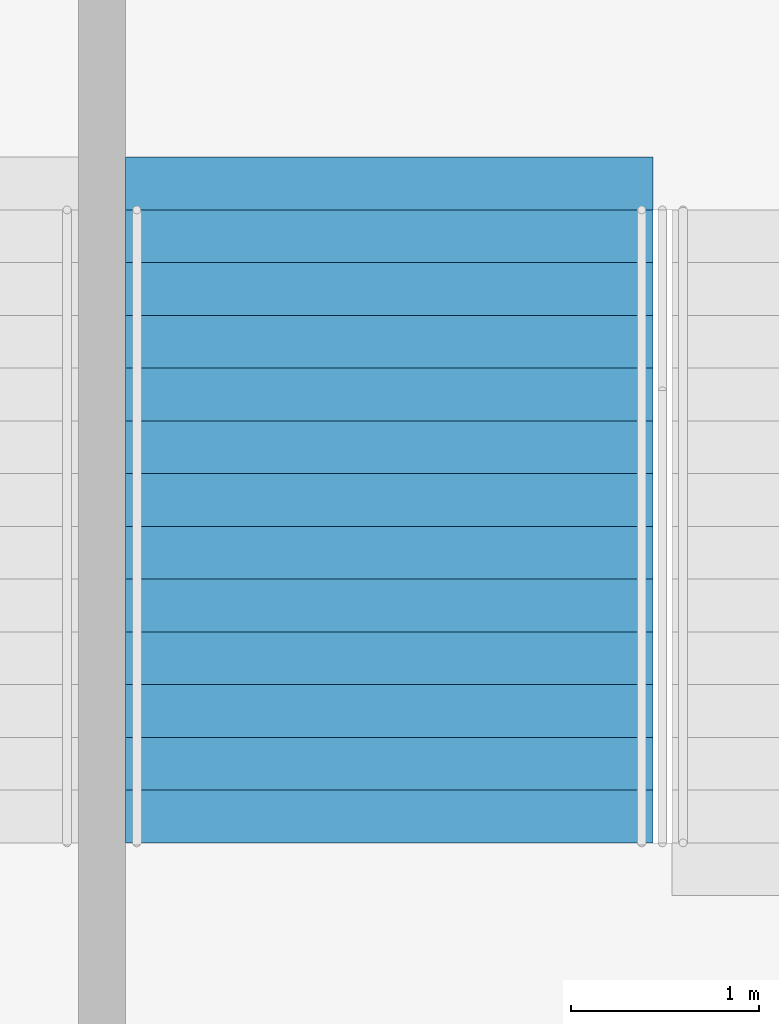
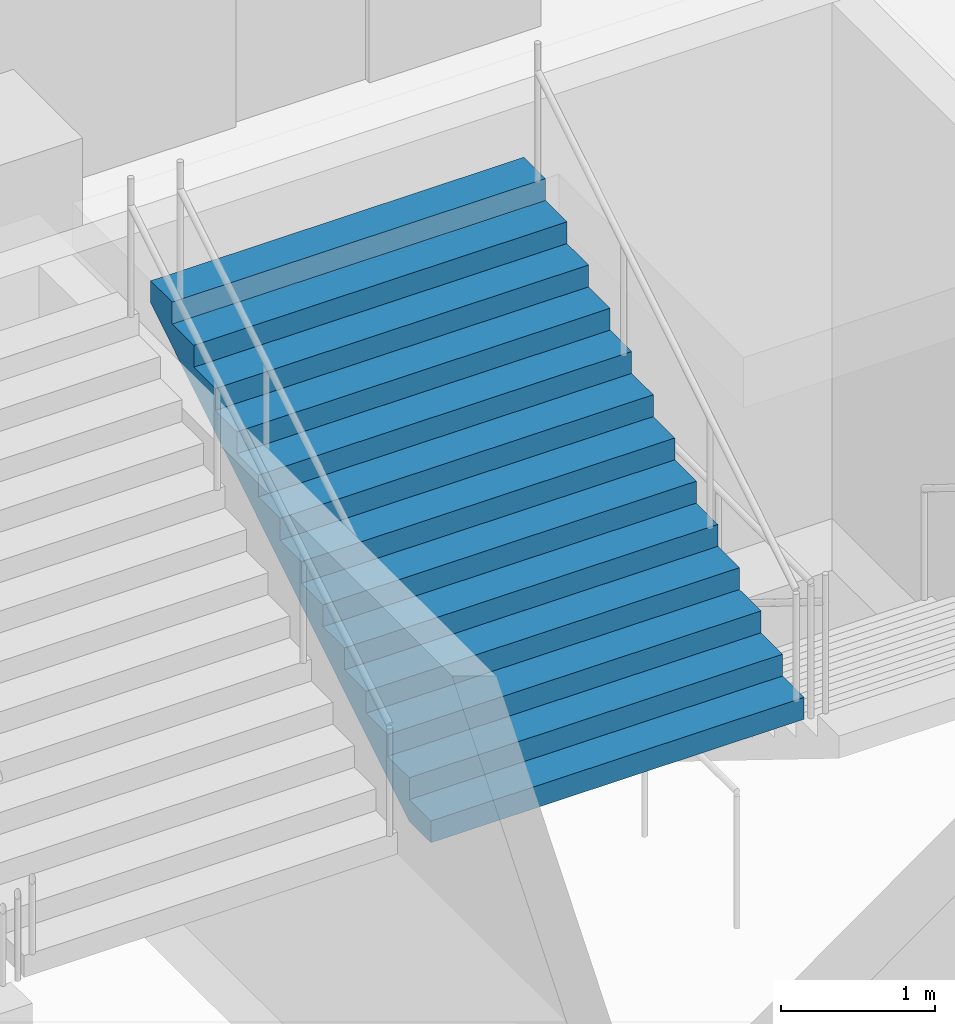
# One storey, part 115 of 199: 1 stair flight, 1 element without a shape of its own.
"""IFC4 building model written with IfcOpenShell, lengths in metres."""

from ifc_helpers import new_model, si_unit, direction, frame, origin, place, context, subcontext, project, spatial, faceted_brep, material, type_object, element, aggregate, save


model = new_model("IFC4")

# Units and contexts
model_context = context("Model", 3, precision=1e-05, world=origin(), true_north=direction((0.0, 1.0)))
body_context = subcontext(model_context, "Body", "Model", "MODEL_VIEW")
ifc_project = project(units=[si_unit("LENGTHUNIT", "METRE"), si_unit("AREAUNIT", "SQUARE_METRE"), si_unit("VOLUMEUNIT", "CUBIC_METRE"), si_unit("PLANEANGLEUNIT", "RADIAN"), si_unit("MASSUNIT", "GRAM", prefix="KILO")], contexts=[model_context])

# Site, building, storey
site_placement = place(None, origin())
site = spatial("IfcSite", under=ifc_project, at=site_placement, CompositionType="ELEMENT")
building_placement = place(site_placement, origin())
building = spatial("IfcBuilding", under=site, at=building_placement, Name="Ogive Plaza Stadium", CompositionType="ELEMENT")
storey_placement = place(building_placement, frame((0.0, 0.0, 9.0)))
storey = spatial("IfcBuildingStorey", under=building, at=storey_placement, Name="L02", CompositionType="ELEMENT", Elevation=9.0)

# Stair, stair flight
ifc_material_1 = material(Name="Concrete C40/50", Category="concrete")
stair_type = type_object("IfcStairType", Name="Exit stair", PredefinedType="STRAIGHT_RUN_STAIR", material=ifc_material_1)
stair_placement = place(storey_placement, origin())
stair = element("IfcStair", 1, at=stair_placement, inside=storey, type_object=stair_type, Name="Exit stair ST16B L02 to L03", PredefinedType="STRAIGHT_RUN_STAIR")
ifc_material_2 = material(Name="Concrete C40/50", Category="concrete")
stair_flight_type = type_object("IfcStairFlightType", Name="Exit stair flight", PredefinedType="STRAIGHT", material=ifc_material_2)
stair_flight_placement = place(storey_placement, frame((-18.875, -98.2099609375, 2.25), z_axis=(0.0, 0.0, 1.0), x_axis=(0.0, 1.0, 0.0)))
stair_flight = element("IfcStairFlight", 2, at=stair_flight_placement, type_object=stair_flight_type, Name="ST16B flight 2", NumberOfRisers=13, NumberOfTreads=12, PredefinedType="STRAIGHT", RiserHeight=0.173076923, TreadLength=0.28, context=body_context, shape_type="Brep", body=[
    faceted_brep([(0.28515625, -1.39990234375, 0.0), (3.639892578125, -1.39990234375, 2.07373046875), (3.639892578125, -1.39990234375, 2.25), (3.360107421875, -1.39990234375, 2.25), (3.360107421875, -1.39990234375, 2.076904296875), (3.080078125, -1.39990234375, 2.076904296875), (3.080078125, -1.39990234375, 1.90380859375), (2.800048828125, -1.39990234375, 1.90380859375), (2.800048828125, -1.39990234375, 1.730712890625), (2.52001953125, -1.39990234375, 1.730712890625), (2.52001953125, -1.39990234375, 1.5576171875), (2.239990234375, -1.39990234375, 1.5576171875), (2.239990234375, -1.39990234375, 1.384521484375), (1.9599609375, -1.39990234375, 1.384521484375), (1.9599609375, -1.39990234375, 1.21142578125), (1.679931640625, -1.39990234375, 1.21142578125), (1.679931640625, -1.39990234375, 1.03857421875), (1.39990234375, -1.39990234375, 1.03857421875), (1.39990234375, -1.39990234375, 0.865478515625), (1.1201171875, -1.39990234375, 0.865478515625), (1.1201171875, -1.39990234375, 0.6923828125), (0.840087890625, -1.39990234375, 0.6923828125), (0.840087890625, -1.39990234375, 0.519287109375), (0.56005859375, -1.39990234375, 0.519287109375), (0.56005859375, -1.39990234375, 0.34619140625), (0.280029296875, -1.39990234375, 0.34619140625), (0.280029296875, -1.39990234375, 0.173095703125), (0.0, -1.39990234375, 0.173095703125), (0.0, -1.39990234375, 0.0), (0.0, 1.39990234375, 0.0), (0.0, 1.39990234375, 0.173095703125), (0.280029296875, 1.39990234375, 0.173095703125), (0.280029296875, 1.39990234375, 0.34619140625), (0.56005859375, 1.39990234375, 0.34619140625), (0.56005859375, 1.39990234375, 0.519287109375), (0.840087890625, 1.39990234375, 0.519287109375), (0.840087890625, 1.39990234375, 0.6923828125), (1.1201171875, 1.39990234375, 0.6923828125), (1.1201171875, 1.39990234375, 0.865478515625), (1.39990234375, 1.39990234375, 0.865478515625), (1.39990234375, 1.39990234375, 1.03857421875), (1.679931640625, 1.39990234375, 1.03857421875), (1.679931640625, 1.39990234375, 1.21142578125), (1.9599609375, 1.39990234375, 1.21142578125), (1.9599609375, 1.39990234375, 1.384521484375), (2.239990234375, 1.39990234375, 1.384521484375), (2.239990234375, 1.39990234375, 1.5576171875), (2.52001953125, 1.39990234375, 1.5576171875), (2.52001953125, 1.39990234375, 1.730712890625), (2.800048828125, 1.39990234375, 1.730712890625), (2.800048828125, 1.39990234375, 1.90380859375), (3.080078125, 1.39990234375, 1.90380859375), (3.080078125, 1.39990234375, 2.076904296875), (3.360107421875, 1.39990234375, 2.076904296875), (3.360107421875, 1.39990234375, 2.25), (3.639892578125, 1.39990234375, 2.25), (3.639892578125, 1.39990234375, 2.07373046875), (0.28515625, 1.39990234375, 0.0), (0.28515625, -1.0888671875, 0.0), (3.639892578125, -1.0888671875, 2.07373046875), (0.28515625, -0.77783203125, 0.0), (3.639892578125, -0.77783203125, 2.07373046875), (0.28515625, -0.466796875, 0.0), (3.639892578125, -0.466796875, 2.07373046875), (0.28515625, -0.155517578125, 0.0), (3.639892578125, -0.155517578125, 2.07373046875), (0.28515625, 0.155517578125, 0.0), (3.639892578125, 0.155517578125, 2.07373046875), (0.28515625, 0.466796875, 0.0), (3.639892578125, 0.466796875, 2.07373046875), (0.28515625, 0.77783203125, 0.0), (3.639892578125, 0.77783203125, 2.07373046875), (0.28515625, 1.0888671875, 0.0), (3.639892578125, 1.0888671875, 2.07373046875), (3.639892578125, -1.0888671875, 2.25), (3.639892578125, -0.77783203125, 2.25), (3.639892578125, -0.466796875, 2.25), (3.639892578125, -0.155517578125, 2.25), (3.639892578125, 0.155517578125, 2.25), (3.639892578125, 0.466796875, 2.25), (3.639892578125, 0.77783203125, 2.25), (3.639892578125, 1.0888671875, 2.25), (3.360107421875, -1.0888671875, 2.25), (3.360107421875, -0.77783203125, 2.25), (3.360107421875, -0.466796875, 2.25), (3.360107421875, -0.155517578125, 2.25), (3.360107421875, 0.155517578125, 2.25), (3.360107421875, 0.466796875, 2.25), (3.360107421875, 0.77783203125, 2.25), (3.360107421875, 1.0888671875, 2.25), (3.360107421875, -1.0888671875, 2.076904296875), (3.360107421875, -0.77783203125, 2.076904296875), (3.360107421875, -0.466796875, 2.076904296875), (3.360107421875, -0.155517578125, 2.076904296875), (3.360107421875, 0.155517578125, 2.076904296875), (3.360107421875, 0.466796875, 2.076904296875), (3.360107421875, 0.77783203125, 2.076904296875), (3.360107421875, 1.0888671875, 2.076904296875), (3.080078125, -1.0888671875, 2.076904296875), (3.080078125, -0.77783203125, 2.076904296875), (3.080078125, -0.466796875, 2.076904296875), (3.080078125, -0.155517578125, 2.076904296875), (3.080078125, 0.155517578125, 2.076904296875), (3.080078125, 0.466796875, 2.076904296875), (3.080078125, 0.77783203125, 2.076904296875), (3.080078125, 1.0888671875, 2.076904296875), (3.080078125, -1.0888671875, 1.90380859375), (3.080078125, -0.77783203125, 1.90380859375), (3.080078125, -0.466796875, 1.90380859375), (3.080078125, -0.155517578125, 1.90380859375), (3.080078125, 0.155517578125, 1.90380859375), (3.080078125, 0.466796875, 1.90380859375), (3.080078125, 0.77783203125, 1.90380859375), (3.080078125, 1.0888671875, 1.90380859375), (2.800048828125, -1.0888671875, 1.90380859375), (2.800048828125, -0.77783203125, 1.90380859375), (2.800048828125, -0.466796875, 1.90380859375), (2.800048828125, -0.155517578125, 1.90380859375), (2.800048828125, 0.155517578125, 1.90380859375), (2.800048828125, 0.466796875, 1.90380859375), (2.800048828125, 0.77783203125, 1.90380859375), (2.800048828125, 1.0888671875, 1.90380859375), (2.800048828125, -1.0888671875, 1.730712890625), (2.800048828125, -0.77783203125, 1.730712890625), (2.800048828125, -0.466796875, 1.730712890625), (2.800048828125, -0.155517578125, 1.730712890625), (2.800048828125, 0.155517578125, 1.730712890625), (2.800048828125, 0.466796875, 1.730712890625), (2.800048828125, 0.77783203125, 1.730712890625), (2.800048828125, 1.0888671875, 1.730712890625), (2.52001953125, -1.0888671875, 1.730712890625), (2.52001953125, -0.77783203125, 1.730712890625), (2.52001953125, -0.466796875, 1.730712890625), (2.52001953125, -0.155517578125, 1.730712890625), (2.52001953125, 0.155517578125, 1.730712890625), (2.52001953125, 0.466796875, 1.730712890625), (2.52001953125, 0.77783203125, 1.730712890625), (2.52001953125, 1.0888671875, 1.730712890625), (2.52001953125, -1.0888671875, 1.5576171875), (2.52001953125, -0.77783203125, 1.5576171875), (2.52001953125, -0.466796875, 1.5576171875), (2.52001953125, -0.155517578125, 1.5576171875), (2.52001953125, 0.155517578125, 1.5576171875), (2.52001953125, 0.466796875, 1.5576171875), (2.52001953125, 0.77783203125, 1.5576171875), (2.52001953125, 1.0888671875, 1.5576171875), (2.239990234375, -1.0888671875, 1.5576171875), (2.239990234375, -0.77783203125, 1.5576171875), (2.239990234375, -0.466796875, 1.5576171875), (2.239990234375, -0.155517578125, 1.5576171875), (2.239990234375, 0.155517578125, 1.5576171875), (2.239990234375, 0.466796875, 1.5576171875), (2.239990234375, 0.77783203125, 1.5576171875), (2.239990234375, 1.0888671875, 1.5576171875), (2.239990234375, -1.0888671875, 1.384521484375), (2.239990234375, -0.77783203125, 1.384521484375), (2.239990234375, -0.466796875, 1.384521484375), (2.239990234375, -0.155517578125, 1.384521484375), (2.239990234375, 0.155517578125, 1.384521484375), (2.239990234375, 0.466796875, 1.384521484375), (2.239990234375, 0.77783203125, 1.384521484375), (2.239990234375, 1.0888671875, 1.384521484375), (1.9599609375, -1.0888671875, 1.384521484375), (1.9599609375, -0.77783203125, 1.384521484375), (1.9599609375, -0.466796875, 1.384521484375), (1.9599609375, -0.155517578125, 1.384521484375), (1.9599609375, 0.155517578125, 1.384521484375), (1.9599609375, 0.466796875, 1.384521484375), (1.9599609375, 0.77783203125, 1.384521484375), (1.9599609375, 1.0888671875, 1.384521484375), (1.9599609375, -1.0888671875, 1.21142578125), (1.9599609375, -0.77783203125, 1.21142578125), (1.9599609375, -0.466796875, 1.21142578125), (1.9599609375, -0.155517578125, 1.21142578125), (1.9599609375, 0.155517578125, 1.21142578125), (1.9599609375, 0.466796875, 1.21142578125), (1.9599609375, 0.77783203125, 1.21142578125), (1.9599609375, 1.0888671875, 1.21142578125), (1.679931640625, -1.0888671875, 1.21142578125), (1.679931640625, -0.77783203125, 1.21142578125), (1.679931640625, -0.466796875, 1.21142578125), (1.679931640625, -0.155517578125, 1.21142578125), (1.679931640625, 0.155517578125, 1.21142578125), (1.679931640625, 0.466796875, 1.21142578125), (1.679931640625, 0.77783203125, 1.21142578125), (1.679931640625, 1.0888671875, 1.21142578125), (1.679931640625, -1.0888671875, 1.03857421875), (1.679931640625, -0.77783203125, 1.03857421875), (1.679931640625, -0.466796875, 1.03857421875), (1.679931640625, -0.155517578125, 1.03857421875), (1.679931640625, 0.155517578125, 1.03857421875), (1.679931640625, 0.466796875, 1.03857421875), (1.679931640625, 0.77783203125, 1.03857421875), (1.679931640625, 1.0888671875, 1.03857421875), (1.39990234375, -1.0888671875, 1.03857421875), (1.39990234375, -0.77783203125, 1.03857421875), (1.39990234375, -0.466796875, 1.03857421875), (1.39990234375, -0.155517578125, 1.03857421875), (1.39990234375, 0.155517578125, 1.03857421875), (1.39990234375, 0.466796875, 1.03857421875), (1.39990234375, 0.77783203125, 1.03857421875), (1.39990234375, 1.0888671875, 1.03857421875), (1.39990234375, -1.0888671875, 0.865478515625), (1.39990234375, -0.77783203125, 0.865478515625), (1.39990234375, -0.466796875, 0.865478515625), (1.39990234375, -0.155517578125, 0.865478515625), (1.39990234375, 0.155517578125, 0.865478515625), (1.39990234375, 0.466796875, 0.865478515625), (1.39990234375, 0.77783203125, 0.865478515625), (1.39990234375, 1.0888671875, 0.865478515625), (1.1201171875, -1.0888671875, 0.865478515625), (1.1201171875, -0.77783203125, 0.865478515625), (1.1201171875, -0.466796875, 0.865478515625), (1.1201171875, -0.155517578125, 0.865478515625), (1.1201171875, 0.155517578125, 0.865478515625), (1.1201171875, 0.466796875, 0.865478515625), (1.1201171875, 0.77783203125, 0.865478515625), (1.1201171875, 1.0888671875, 0.865478515625), (1.1201171875, -1.0888671875, 0.6923828125), (1.1201171875, -0.77783203125, 0.6923828125), (1.1201171875, -0.466796875, 0.6923828125), (1.1201171875, -0.155517578125, 0.6923828125), (1.1201171875, 0.155517578125, 0.6923828125), (1.1201171875, 0.466796875, 0.6923828125), (1.1201171875, 0.77783203125, 0.6923828125), (1.1201171875, 1.0888671875, 0.6923828125), (0.840087890625, -1.0888671875, 0.6923828125), (0.840087890625, -0.77783203125, 0.6923828125), (0.840087890625, -0.466796875, 0.6923828125), (0.840087890625, -0.155517578125, 0.6923828125), (0.840087890625, 0.155517578125, 0.6923828125), (0.840087890625, 0.466796875, 0.6923828125), (0.840087890625, 0.77783203125, 0.6923828125), (0.840087890625, 1.0888671875, 0.6923828125), (0.840087890625, -1.0888671875, 0.519287109375), (0.840087890625, -0.77783203125, 0.519287109375), (0.840087890625, -0.466796875, 0.519287109375), (0.840087890625, -0.155517578125, 0.519287109375), (0.840087890625, 0.155517578125, 0.519287109375), (0.840087890625, 0.466796875, 0.519287109375), (0.840087890625, 0.77783203125, 0.519287109375), (0.840087890625, 1.0888671875, 0.519287109375), (0.56005859375, -1.0888671875, 0.519287109375), (0.56005859375, -0.77783203125, 0.519287109375), (0.56005859375, -0.466796875, 0.519287109375), (0.56005859375, -0.155517578125, 0.519287109375), (0.56005859375, 0.155517578125, 0.519287109375), (0.56005859375, 0.466796875, 0.519287109375), (0.56005859375, 0.77783203125, 0.519287109375), (0.56005859375, 1.0888671875, 0.519287109375), (0.56005859375, -1.0888671875, 0.34619140625), (0.56005859375, -0.77783203125, 0.34619140625), (0.56005859375, -0.466796875, 0.34619140625), (0.56005859375, -0.155517578125, 0.34619140625), (0.56005859375, 0.155517578125, 0.34619140625), (0.56005859375, 0.466796875, 0.34619140625), (0.56005859375, 0.77783203125, 0.34619140625), (0.56005859375, 1.0888671875, 0.34619140625), (0.280029296875, -1.0888671875, 0.34619140625), (0.280029296875, -0.77783203125, 0.34619140625), (0.280029296875, -0.466796875, 0.34619140625), (0.280029296875, -0.155517578125, 0.34619140625), (0.280029296875, 0.155517578125, 0.34619140625), (0.280029296875, 0.466796875, 0.34619140625), (0.280029296875, 0.77783203125, 0.34619140625), (0.280029296875, 1.0888671875, 0.34619140625), (0.280029296875, -1.0888671875, 0.173095703125), (0.280029296875, -0.77783203125, 0.173095703125), (0.280029296875, -0.466796875, 0.173095703125), (0.280029296875, -0.155517578125, 0.173095703125), (0.280029296875, 0.155517578125, 0.173095703125), (0.280029296875, 0.466796875, 0.173095703125), (0.280029296875, 0.77783203125, 0.173095703125), (0.280029296875, 1.0888671875, 0.173095703125), (0.0, -1.0888671875, 0.173095703125), (0.0, -0.77783203125, 0.173095703125), (0.0, -0.466796875, 0.173095703125), (0.0, -0.155517578125, 0.173095703125), (0.0, 0.155517578125, 0.173095703125), (0.0, 0.466796875, 0.173095703125), (0.0, 0.77783203125, 0.173095703125), (0.0, 1.0888671875, 0.173095703125), (0.0, -1.0888671875, 0.0), (0.0, -0.77783203125, 0.0), (0.0, -0.466796875, 0.0), (0.0, -0.155517578125, 0.0), (0.0, 0.155517578125, 0.0), (0.0, 0.466796875, 0.0), (0.0, 0.77783203125, 0.0), (0.0, 1.0888671875, 0.0)], [[[0, 1, 2, 3, 4, 5, 6, 7, 8, 9, 10, 11, 12, 13, 14, 15, 16, 17, 18, 19, 20, 21, 22, 23, 24, 25, 26, 27, 28]], [[29, 30, 31, 32, 33, 34, 35, 36, 37, 38, 39, 40, 41, 42, 43, 44, 45, 46, 47, 48, 49, 50, 51, 52, 53, 54, 55, 56, 57]], [[0, 58, 59, 1]], [[58, 60, 61, 59]], [[60, 62, 63, 61]], [[62, 64, 65, 63]], [[64, 66, 67, 65]], [[66, 68, 69, 67]], [[68, 70, 71, 69]], [[70, 72, 73, 71]], [[72, 57, 56, 73]], [[1, 59, 74, 2]], [[59, 61, 75, 74]], [[61, 63, 76, 75]], [[63, 65, 77, 76]], [[65, 67, 78, 77]], [[67, 69, 79, 78]], [[69, 71, 80, 79]], [[71, 73, 81, 80]], [[73, 56, 55, 81]], [[2, 74, 82, 3]], [[74, 75, 83, 82]], [[75, 76, 84, 83]], [[76, 77, 85, 84]], [[77, 78, 86, 85]], [[78, 79, 87, 86]], [[79, 80, 88, 87]], [[80, 81, 89, 88]], [[81, 55, 54, 89]], [[3, 82, 90, 4]], [[82, 83, 91, 90]], [[83, 84, 92, 91]], [[84, 85, 93, 92]], [[85, 86, 94, 93]], [[86, 87, 95, 94]], [[87, 88, 96, 95]], [[88, 89, 97, 96]], [[89, 54, 53, 97]], [[4, 90, 98, 5]], [[90, 91, 99, 98]], [[91, 92, 100, 99]], [[92, 93, 101, 100]], [[93, 94, 102, 101]], [[94, 95, 103, 102]], [[95, 96, 104, 103]], [[96, 97, 105, 104]], [[97, 53, 52, 105]], [[5, 98, 106, 6]], [[98, 99, 107, 106]], [[99, 100, 108, 107]], [[100, 101, 109, 108]], [[101, 102, 110, 109]], [[102, 103, 111, 110]], [[103, 104, 112, 111]], [[104, 105, 113, 112]], [[105, 52, 51, 113]], [[6, 106, 114, 7]], [[106, 107, 115, 114]], [[107, 108, 116, 115]], [[108, 109, 117, 116]], [[109, 110, 118, 117]], [[110, 111, 119, 118]], [[111, 112, 120, 119]], [[112, 113, 121, 120]], [[113, 51, 50, 121]], [[7, 114, 122, 8]], [[114, 115, 123, 122]], [[115, 116, 124, 123]], [[116, 117, 125, 124]], [[117, 118, 126, 125]], [[118, 119, 127, 126]], [[119, 120, 128, 127]], [[120, 121, 129, 128]], [[121, 50, 49, 129]], [[8, 122, 130, 9]], [[122, 123, 131, 130]], [[123, 124, 132, 131]], [[124, 125, 133, 132]], [[125, 126, 134, 133]], [[126, 127, 135, 134]], [[127, 128, 136, 135]], [[128, 129, 137, 136]], [[129, 49, 48, 137]], [[9, 130, 138, 10]], [[130, 131, 139, 138]], [[131, 132, 140, 139]], [[132, 133, 141, 140]], [[133, 134, 142, 141]], [[134, 135, 143, 142]], [[135, 136, 144, 143]], [[136, 137, 145, 144]], [[137, 48, 47, 145]], [[10, 138, 146, 11]], [[138, 139, 147, 146]], [[139, 140, 148, 147]], [[140, 141, 149, 148]], [[141, 142, 150, 149]], [[142, 143, 151, 150]], [[143, 144, 152, 151]], [[144, 145, 153, 152]], [[145, 47, 46, 153]], [[11, 146, 154, 12]], [[146, 147, 155, 154]], [[147, 148, 156, 155]], [[148, 149, 157, 156]], [[149, 150, 158, 157]], [[150, 151, 159, 158]], [[151, 152, 160, 159]], [[152, 153, 161, 160]], [[153, 46, 45, 161]], [[12, 154, 162, 13]], [[154, 155, 163, 162]], [[155, 156, 164, 163]], [[156, 157, 165, 164]], [[157, 158, 166, 165]], [[158, 159, 167, 166]], [[159, 160, 168, 167]], [[160, 161, 169, 168]], [[161, 45, 44, 169]], [[13, 162, 170, 14]], [[162, 163, 171, 170]], [[163, 164, 172, 171]], [[164, 165, 173, 172]], [[165, 166, 174, 173]], [[166, 167, 175, 174]], [[167, 168, 176, 175]], [[168, 169, 177, 176]], [[169, 44, 43, 177]], [[14, 170, 178, 15]], [[170, 171, 179, 178]], [[171, 172, 180, 179]], [[172, 173, 181, 180]], [[173, 174, 182, 181]], [[174, 175, 183, 182]], [[175, 176, 184, 183]], [[176, 177, 185, 184]], [[177, 43, 42, 185]], [[15, 178, 186, 16]], [[178, 179, 187, 186]], [[179, 180, 188, 187]], [[180, 181, 189, 188]], [[181, 182, 190, 189]], [[182, 183, 191, 190]], [[183, 184, 192, 191]], [[184, 185, 193, 192]], [[185, 42, 41, 193]], [[16, 186, 194, 17]], [[186, 187, 195, 194]], [[187, 188, 196, 195]], [[188, 189, 197, 196]], [[189, 190, 198, 197]], [[190, 191, 199, 198]], [[191, 192, 200, 199]], [[192, 193, 201, 200]], [[193, 41, 40, 201]], [[17, 194, 202, 18]], [[194, 195, 203, 202]], [[195, 196, 204, 203]], [[196, 197, 205, 204]], [[197, 198, 206, 205]], [[198, 199, 207, 206]], [[199, 200, 208, 207]], [[200, 201, 209, 208]], [[201, 40, 39, 209]], [[18, 202, 210, 19]], [[202, 203, 211, 210]], [[203, 204, 212, 211]], [[204, 205, 213, 212]], [[205, 206, 214, 213]], [[206, 207, 215, 214]], [[207, 208, 216, 215]], [[208, 209, 217, 216]], [[209, 39, 38, 217]], [[19, 210, 218, 20]], [[210, 211, 219, 218]], [[211, 212, 220, 219]], [[212, 213, 221, 220]], [[213, 214, 222, 221]], [[214, 215, 223, 222]], [[215, 216, 224, 223]], [[216, 217, 225, 224]], [[217, 38, 37, 225]], [[20, 218, 226, 21]], [[218, 219, 227, 226]], [[219, 220, 228, 227]], [[220, 221, 229, 228]], [[221, 222, 230, 229]], [[222, 223, 231, 230]], [[223, 224, 232, 231]], [[224, 225, 233, 232]], [[225, 37, 36, 233]], [[21, 226, 234, 22]], [[226, 227, 235, 234]], [[227, 228, 236, 235]], [[228, 229, 237, 236]], [[229, 230, 238, 237]], [[230, 231, 239, 238]], [[231, 232, 240, 239]], [[232, 233, 241, 240]], [[233, 36, 35, 241]], [[22, 234, 242, 23]], [[234, 235, 243, 242]], [[235, 236, 244, 243]], [[236, 237, 245, 244]], [[237, 238, 246, 245]], [[238, 239, 247, 246]], [[239, 240, 248, 247]], [[240, 241, 249, 248]], [[241, 35, 34, 249]], [[23, 242, 250, 24]], [[242, 243, 251, 250]], [[243, 244, 252, 251]], [[244, 245, 253, 252]], [[245, 246, 254, 253]], [[246, 247, 255, 254]], [[247, 248, 256, 255]], [[248, 249, 257, 256]], [[249, 34, 33, 257]], [[24, 250, 258, 25]], [[250, 251, 259, 258]], [[251, 252, 260, 259]], [[252, 253, 261, 260]], [[253, 254, 262, 261]], [[254, 255, 263, 262]], [[255, 256, 264, 263]], [[256, 257, 265, 264]], [[257, 33, 32, 265]], [[25, 258, 266, 26]], [[258, 259, 267, 266]], [[259, 260, 268, 267]], [[260, 261, 269, 268]], [[261, 262, 270, 269]], [[262, 263, 271, 270]], [[263, 264, 272, 271]], [[264, 265, 273, 272]], [[265, 32, 31, 273]], [[26, 266, 274, 27]], [[266, 267, 275, 274]], [[267, 268, 276, 275]], [[268, 269, 277, 276]], [[269, 270, 278, 277]], [[270, 271, 279, 278]], [[271, 272, 280, 279]], [[272, 273, 281, 280]], [[273, 31, 30, 281]], [[27, 274, 282, 28]], [[274, 275, 283, 282]], [[275, 276, 284, 283]], [[276, 277, 285, 284]], [[277, 278, 286, 285]], [[278, 279, 287, 286]], [[279, 280, 288, 287]], [[280, 281, 289, 288]], [[281, 30, 29, 289]], [[28, 282, 58, 0]], [[282, 283, 60, 58]], [[283, 284, 62, 60]], [[284, 285, 64, 62]], [[285, 286, 66, 64]], [[286, 287, 68, 66]], [[287, 288, 70, 68]], [[288, 289, 72, 70]], [[289, 29, 57, 72]]]),
])
aggregate(stair, [stair_flight])

save(model, "model.ifc")
